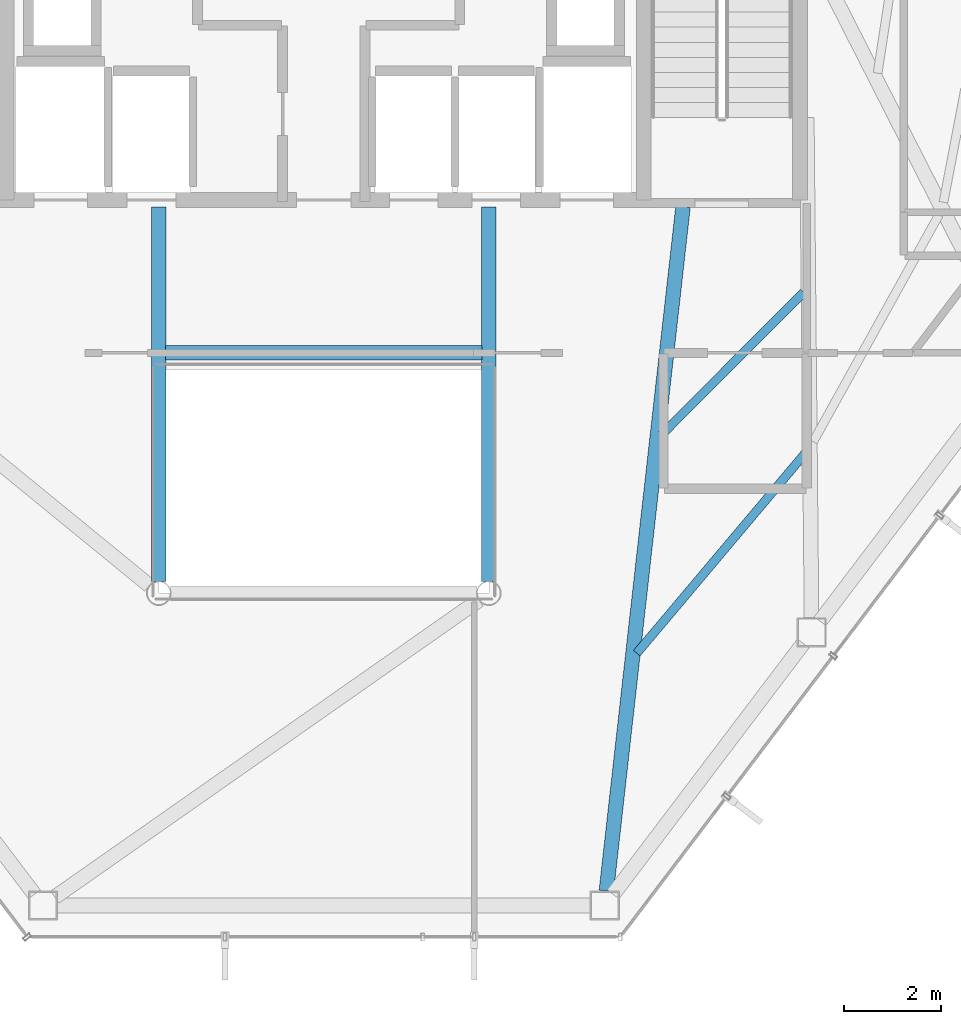
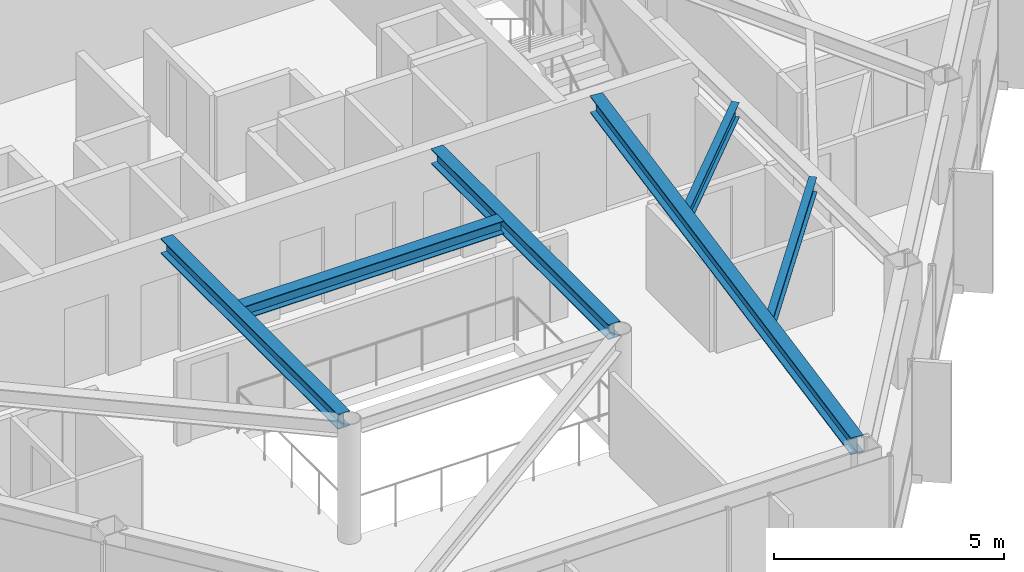
# One storey, part 9 of 28: 6 beams.
"""IFC4 building model written with IfcOpenShell, lengths in metres."""

import ifcopenshell
import ifcopenshell.guid

model = None  # the IFC model being written
_history = None  # IfcOwnerHistory: only IFC2X3 demands one
_inside = {}  # id of a spatial element -> (the spatial element, [elements in it])
_under = {}  # id of a project, library or spatial element -> (it, [spatial elements below it])
_declared = {}  # id of a project -> (the project, [libraries it declares])
_typed = {}  # id of a type object -> (the type object, [elements of that type])
_made_of = {}  # id of a material, layer set ... -> (it, [elements and type objects made of it])


def new_model(schema):
    """Start an empty IFC model of exactly this schema.

    Asked for "IFC4X3", IfcOpenShell would pick the latest addendum, in which some entities
    have other attributes; the version numbers below select the first issue.
    IFC2X3 requires an IfcOwnerHistory on every rooted entity: one is made here for all.
    """
    global model, _history
    if schema == "IFC4X3":
        model = ifcopenshell.file(schema_version=(4, 3, 0, 0))
    else:
        model = ifcopenshell.file(schema=schema)
    _inside.clear()
    _under.clear()
    _declared.clear()
    _typed.clear()
    _made_of.clear()
    _history = None
    if model.schema == "IFC2X3":
        org = make("IfcOrganization", Name="unknown")
        user = make(
            "IfcPersonAndOrganization",
            ThePerson=make("IfcPerson", FamilyName="unknown"),
            TheOrganization=org,
        )
        app = make(
            "IfcApplication",
            ApplicationDeveloper=org,
            Version="unknown",
            ApplicationFullName="unknown",
            ApplicationIdentifier="unknown",
        )
        _history = make(
            "IfcOwnerHistory",
            OwningUser=user,
            OwningApplication=app,
            ChangeAction="ADDED",
            CreationDate=0,
        )
    return model


def make(cls, **values):
    """One entity of the class cls with the attributes given. An attribute that is None is left unset."""
    return model.create_entity(
        cls, **{name: value for name, value in values.items() if value is not None}
    )


def rooted(cls, **values):
    """An entity with a GlobalId (a new one), such as an element, a storey or a relation."""
    return make(cls, GlobalId=ifcopenshell.guid.new(), OwnerHistory=_history, **values)


def si_unit(unit_type, name, prefix=None):
    """IfcSIUnit, for example si_unit("LENGTHUNIT", "METRE", prefix="MILLI")."""
    return make("IfcSIUnit", UnitType=unit_type, Prefix=prefix, Name=name)


def assignment(units):
    """IfcUnitAssignment: the units of a project."""
    return None if units is None else make("IfcUnitAssignment", Units=units)


def point(xyz):
    """IfcCartesianPoint."""
    return None if xyz is None else make("IfcCartesianPoint", Coordinates=xyz)


def direction(xyz):
    """IfcDirection."""
    return None if xyz is None else make("IfcDirection", DirectionRatios=xyz)


def frame(location, z_axis=None, x_axis=None):
    """IfcAxis2Placement3D, a coordinate frame: its origin and axes. An axis left out is left unset."""
    return make(
        "IfcAxis2Placement3D",
        Location=point(location),
        Axis=direction(z_axis),
        RefDirection=direction(x_axis),
    )


def frame_2d(location, x_axis=None):
    """IfcAxis2Placement2D, a coordinate frame in the plane: its origin and x axis."""
    return make(
        "IfcAxis2Placement2D", Location=point(location), RefDirection=direction(x_axis)
    )


def origin():
    """The frame at (0, 0, 0) with its axes left unset."""
    return frame((0.0, 0.0, 0.0))


def origin_2d():
    """The frame at (0, 0) in the plane with its x axis left unset."""
    return frame_2d((0.0, 0.0))


def place(relative_to, where):
    """IfcLocalPlacement: puts the frame where relative to a parent placement (None: the world)."""
    return make(
        "IfcLocalPlacement", PlacementRelTo=relative_to, RelativePlacement=where
    )


def context(
    kind, dimensions, precision=None, world=None, true_north=None, identifier=None
):
    """IfcGeometricRepresentationContext, for example the 3D "Model" context."""
    return make(
        "IfcGeometricRepresentationContext",
        ContextIdentifier=identifier,
        ContextType=kind,
        CoordinateSpaceDimension=dimensions,
        Precision=precision,
        WorldCoordinateSystem=world,
        TrueNorth=true_north,
    )


def subcontext(parent, identifier, kind, view, scale=None):
    """IfcGeometricRepresentationSubContext, for example "Body" below "Model"."""
    return make(
        "IfcGeometricRepresentationSubContext",
        ContextIdentifier=identifier,
        ContextType=kind,
        ParentContext=parent,
        TargetScale=scale,
        TargetView=view,
    )


def project(units=None, contexts=None):
    """IfcProject with its units and contexts."""
    return rooted(
        "IfcProject",
        Name="project",
        RepresentationContexts=contexts,
        UnitsInContext=assignment(units),
    )


def spatial(cls, under=None, at=None, **own):
    """A site, building, storey or space (cls), placed at a placement, below another one or the project."""
    s = rooted(cls, ObjectPlacement=at, **own)
    if under is not None:
        _under.setdefault(under.id(), (under, []))[1].append(s)
    return s


def profile(cls, at=None, kind="AREA", **sizes):
    """A parametric profile (cls). Its sizes go by their IFC names, for example OverallWidth=200.0."""
    return make(cls, ProfileType=kind, Position=at, **sizes)


def i_section(**sizes):
    """IfcIShapeProfileDef."""
    return profile("IfcIShapeProfileDef", **sizes)


def extrude(swept, where, along, depth):
    """IfcExtrudedAreaSolid: the profile swept, set in the frame where, extruded along a direction by depth."""
    return make(
        "IfcExtrudedAreaSolid",
        SweptArea=swept,
        Position=where,
        ExtrudedDirection=direction(along),
        Depth=depth,
    )


def shape(context_of_items, identifier, shape_type, items):
    """IfcShapeRepresentation: the items that make up one representation, for example the "Body"."""
    return make(
        "IfcShapeRepresentation",
        ContextOfItems=context_of_items,
        RepresentationIdentifier=identifier,
        RepresentationType=shape_type,
        Items=items,
    )


def material(Name=None, Category=None):
    """IfcMaterial."""
    return make("IfcMaterial", Name=Name, Category=Category)


def material_profile(
    of_material, cross_section, Name=None, Category=None, Priority=None
):
    """IfcMaterialProfile: a cross section and its material."""
    return make(
        "IfcMaterialProfile",
        Name=Name,
        Material=of_material,
        Profile=cross_section,
        Priority=Priority,
        Category=Category,
    )


def profile_set(profiles, Name=None, composite=None):
    """IfcMaterialProfileSet."""
    return make(
        "IfcMaterialProfileSet",
        Name=Name,
        MaterialProfiles=profiles,
        CompositeProfile=composite,
    )


def made_of(thing, what):
    """Note that an element or type object is made of a material, layer set ...; save() writes the relation."""
    if what is not None:
        _made_of.setdefault(what.id(), (what, []))[1].append(thing)
    return thing


def type_object(cls, material=None, **own):
    """A type object (cls), such as IfcWallType, which elements share."""
    return made_of(rooted(cls, **own), material)


def element(
    cls,
    number,
    at=None,
    inside=None,
    cuts=None,
    type_object=None,
    material=None,
    context=None,
    identifier="Body",
    shape_type=None,
    held_by="IfcProductDefinitionShape",
    body=None,
    shapes=None,
    **own,
):
    """One element of the class cls, such as IfcWall. Its Tag is "e" and its number.

    at: its placement. inside: the storey or other place that contains it. cuts: it is an
    opening in that element (IfcRelVoidsElement). A single representation is given by context,
    identifier, shape_type and body (its items); several are given by shapes. held_by: the class
    of the entity that holds the representations. save() writes the other relations.
    """
    e = rooted(cls, Tag="e%d" % number, ObjectPlacement=at, **own)
    if body is not None:
        shapes = [shape(context, identifier, shape_type, body)]
    if shapes is not None:
        e.Representation = make(held_by, Representations=shapes)
    if inside is not None:
        _inside.setdefault(inside.id(), (inside, []))[1].append(e)
    if cuts is not None:
        rooted(
            "IfcRelVoidsElement", RelatingBuildingElement=cuts, RelatedOpeningElement=e
        )
    if type_object is not None:
        _typed.setdefault(type_object.id(), (type_object, []))[1].append(e)
    return made_of(e, material)


def aggregate(whole, parts):
    """IfcRelAggregates: a whole, such as a stair, and the parts it consists of."""
    return rooted("IfcRelAggregates", RelatingObject=whole, RelatedObjects=parts)


def save(model, path):
    """Write the relations noted so far, then the file.

    IfcRelAggregates (storeys below a building ...), IfcRelContainedInSpatialStructure (elements
    in a storey), IfcRelDefinesByType, IfcRelAssociatesMaterial and IfcRelDeclares: one each for
    every whole, place, type object, material and project.
    """
    for whole, parts in _under.values():
        aggregate(whole, parts)
    for where, things in _inside.values():
        rooted(
            "IfcRelContainedInSpatialStructure",
            RelatedElements=things,
            RelatingStructure=where,
        )
    for kind, things in _typed.values():
        rooted("IfcRelDefinesByType", RelatedObjects=things, RelatingType=kind)
    for what, things in _made_of.values():
        rooted("IfcRelAssociatesMaterial", RelatedObjects=things, RelatingMaterial=what)
    for by, libraries in _declared.values():
        rooted("IfcRelDeclares", RelatingContext=by, RelatedDefinitions=libraries)
    model.write(path)


model = new_model("IFC4")

# Units and contexts
model_context = context("Model", 3, precision=1e-05, world=origin(), true_north=direction((0.0, 1.0)))
body_context = subcontext(model_context, "Body", "Model", "MODEL_VIEW")
ifc_project = project(units=[si_unit("LENGTHUNIT", "METRE"), si_unit("AREAUNIT", "SQUARE_METRE"), si_unit("VOLUMEUNIT", "CUBIC_METRE"), si_unit("PLANEANGLEUNIT", "RADIAN"), si_unit("MASSUNIT", "GRAM", prefix="KILO")], contexts=[model_context])

# Site, building, storey
site_placement = place(None, origin())
site = spatial("IfcSite", under=ifc_project, at=site_placement, CompositionType="ELEMENT")
building_placement = place(site_placement, origin())
building = spatial("IfcBuilding", under=site, at=building_placement, Name="Zarrinselat Tower", CompositionType="ELEMENT")
storey_placement = place(building_placement, frame((0.0, 0.0, 218.9599609375)))
storey = spatial("IfcBuildingStorey", under=building, at=storey_placement, Name="L54", CompositionType="ELEMENT", Elevation=218.9599609375)

# Beams
ifc_material_1 = material(Name="Steel S355J2", Category="steel")
ifc_material_profile_1 = material_profile(ifc_material_1, i_section(OverallWidth=0.300048828125, OverallDepth=0.35009765625, WebThickness=0.010009765625, FlangeThickness=0.017578125, at=origin_2d()), Name="HEA 360")
ifc_profile_set_1 = profile_set([ifc_material_profile_1], Name="Steel S355J2")
beam_type_1 = type_object("IfcBeamType", Name="BM-HEA360", PredefinedType="LINTEL", material=ifc_profile_set_1)
beam_1_placement = place(storey_placement, frame((35.139892578125, 30.14990234375, 3.005126953125), z_axis=(1.0, 0.0, 0.0), x_axis=(0.0, 1.0, 0.0)))
element("IfcBeam", 1, at=beam_1_placement, inside=storey, type_object=beam_type_1, Name="L54 Lift Lobby Ceiling Beam", PredefinedType="LINTEL", context=body_context, shape_type="SweptSolid", body=[
    extrude(i_section(OverallWidth=0.300048828125, OverallDepth=0.35009765625, WebThickness=0.010009765625, FlangeThickness=0.017578125, at=origin_2d()), origin(), (0.0, 0.0, 1.0), 6.52001953125),
])
ifc_material_2 = material(Name="Steel S355J2", Category="steel")
ifc_material_profile_2 = material_profile(ifc_material_2, i_section(OverallWidth=0.300048828125, OverallDepth=0.39990234375, WebThickness=0.013427734375, FlangeThickness=0.02392578125, at=origin_2d()), Name="HEB 400")
ifc_profile_set_2 = profile_set([ifc_material_profile_2], Name="Steel S355J2")
beam_type_2 = type_object("IfcBeamType", Name="BM-HEB400", PredefinedType="BEAM", material=ifc_profile_set_2)
for number, where, z_axis, x_axis, name in (
    (2, (35.0, 25.43994140625, 2.97998046875), (0.0, 1.0, 0.0), (-1.0, 0.0, 0.0), "L54 Atrium Edge Beam W"),
    (3, (41.800048828125, 25.43994140625, 2.97998046875), (0.0, 1.0, 0.0), (-1.0, 0.0, 0.0), "L54 Atrium Edge Beam E"),
):
    element("IfcBeam", number, at=place(storey_placement, frame(where, z_axis=z_axis, x_axis=x_axis)), inside=storey, type_object=beam_type_2, Name=name, PredefinedType="BEAM", context=body_context, shape_type="SweptSolid", body=[
        extrude(i_section(OverallWidth=0.300048828125, OverallDepth=0.39990234375, WebThickness=0.013427734375, FlangeThickness=0.02392578125, at=origin_2d()), origin(), (0.0, 0.0, 1.0), 7.719970703125),
    ])
ifc_material_3 = material(Name="Steel S355J2", Category="steel")
ifc_material_profile_3 = material_profile(ifc_material_3, i_section(OverallWidth=0.300048828125, OverallDepth=0.449951171875, WebThickness=0.013916015625, FlangeThickness=0.02587890625, at=origin_2d()), Name="HEB 450")
ifc_profile_set_3 = profile_set([ifc_material_profile_3], Name="Steel S355J2")
beam_type_3 = type_object("IfcBeamType", Name="BM-HEB450", PredefinedType="BEAM", material=ifc_profile_set_3)
beam_2_placement = place(storey_placement, frame((44.220703125, 19.06689453125, 2.955078125), z_axis=(0.111368685601, 0.993779158499, 0.0), x_axis=(-0.993779158499, 0.111368685601, 0.0)))
element("IfcBeam", 4, at=beam_2_placement, inside=storey, type_object=beam_type_3, Name="L54 Radial Primary Girder RG11", PredefinedType="BEAM", context=body_context, shape_type="SweptSolid", body=[
    extrude(i_section(OverallWidth=0.300048828125, OverallDepth=0.449951171875, WebThickness=0.013916015625, FlangeThickness=0.02587890625, at=origin_2d()), origin(), (0.0, 0.0, 1.0), 14.18115234375),
])
ifc_material_4 = material(Name="Steel S355J2", Category="steel")
ifc_material_profile_4 = material_profile(ifc_material_4, i_section(OverallWidth=0.179931640625, OverallDepth=0.39990234375, WebThickness=0.008544921875, FlangeThickness=0.013427734375, at=origin_2d()), Name="IPE 400")
ifc_profile_set_4 = profile_set([ifc_material_profile_4], Name="Steel S355J2")
beam_type_4 = type_object("IfcBeamType", Name="BM-IPE400", PredefinedType="JOIST", material=ifc_profile_set_4)
beam_3_placement = place(storey_placement, frame((44.847900390625, 23.965576171875, 2.97998046875), z_axis=(0.644265316144, 0.764802067475, 0.0), x_axis=(-0.764802067475, 0.644265316144, 0.0)))
element("IfcBeam", 5, at=beam_3_placement, inside=storey, type_object=beam_type_4, Name="L54 Composite Floor Joist 3-1", PredefinedType="JOIST", context=body_context, shape_type="SweptSolid", body=[
    extrude(i_section(OverallWidth=0.179931640625, OverallDepth=0.39990234375, WebThickness=0.008544921875, FlangeThickness=0.013427734375, at=origin_2d()), origin(), (0.0, 0.0, 1.0), 5.395751953125),
])
beam_4_placement = place(storey_placement, frame((45.36181640625, 28.46728515625, 2.97998046875), z_axis=(0.706132745304, 0.708079477184, 0.0), x_axis=(-0.708079477184, 0.706132745304, 0.0)))
element("IfcBeam", 6, at=beam_4_placement, inside=storey, type_object=beam_type_4, Name="L54 Composite Floor Joist 3-2", PredefinedType="JOIST", context=body_context, shape_type="SweptSolid", body=[
    extrude(i_section(OverallWidth=0.179931640625, OverallDepth=0.39990234375, WebThickness=0.008544921875, FlangeThickness=0.013427734375, at=origin_2d()), origin(), (0.0, 0.0, 1.0), 4.138427734375),
])

save(model, "model.ifc")
